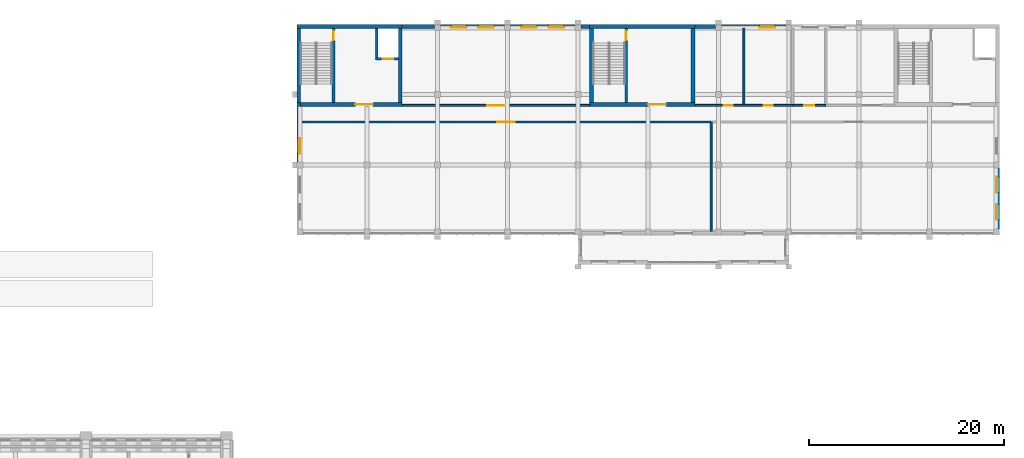
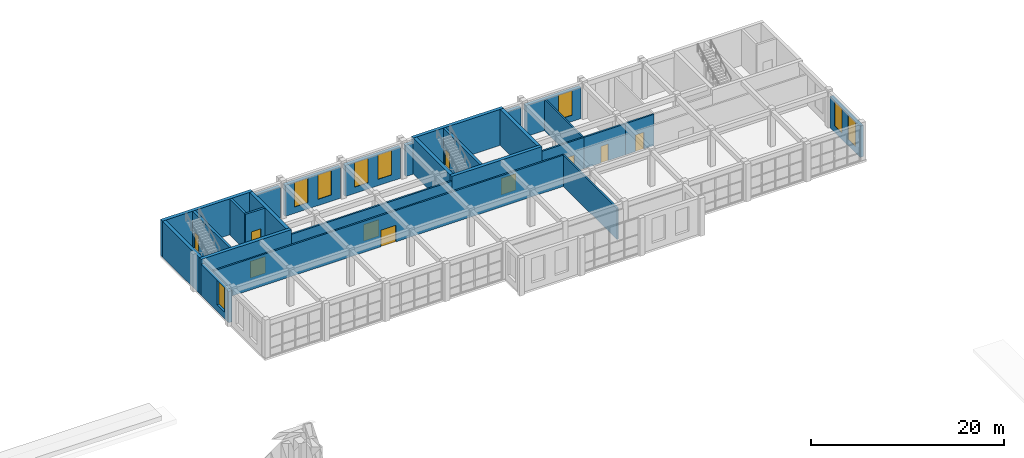
# One storey, part 141 of 149: 27 walls, 10 doors, 8 windows, 18 openings.
"""IFC4 building model written with IfcOpenShell, lengths in metres."""

import ifcopenshell
import ifcopenshell.guid

model = None  # the IFC model being written
_history = None  # IfcOwnerHistory: only IFC2X3 demands one
_inside = {}  # id of a spatial element -> (the spatial element, [elements in it])
_under = {}  # id of a project, library or spatial element -> (it, [spatial elements below it])
_declared = {}  # id of a project -> (the project, [libraries it declares])
_typed = {}  # id of a type object -> (the type object, [elements of that type])
_made_of = {}  # id of a material, layer set ... -> (it, [elements and type objects made of it])


def new_model(schema):
    """Start an empty IFC model of exactly this schema.

    Asked for "IFC4X3", IfcOpenShell would pick the latest addendum, in which some entities
    have other attributes; the version numbers below select the first issue.
    IFC2X3 requires an IfcOwnerHistory on every rooted entity: one is made here for all.
    """
    global model, _history
    if schema == "IFC4X3":
        model = ifcopenshell.file(schema_version=(4, 3, 0, 0))
    else:
        model = ifcopenshell.file(schema=schema)
    _inside.clear()
    _under.clear()
    _declared.clear()
    _typed.clear()
    _made_of.clear()
    _history = None
    if model.schema == "IFC2X3":
        org = make("IfcOrganization", Name="unknown")
        user = make(
            "IfcPersonAndOrganization",
            ThePerson=make("IfcPerson", FamilyName="unknown"),
            TheOrganization=org,
        )
        app = make(
            "IfcApplication",
            ApplicationDeveloper=org,
            Version="unknown",
            ApplicationFullName="unknown",
            ApplicationIdentifier="unknown",
        )
        _history = make(
            "IfcOwnerHistory",
            OwningUser=user,
            OwningApplication=app,
            ChangeAction="ADDED",
            CreationDate=0,
        )
    return model


def make(cls, **values):
    """One entity of the class cls with the attributes given. An attribute that is None is left unset."""
    return model.create_entity(
        cls, **{name: value for name, value in values.items() if value is not None}
    )


def rooted(cls, **values):
    """An entity with a GlobalId (a new one), such as an element, a storey or a relation."""
    return make(cls, GlobalId=ifcopenshell.guid.new(), OwnerHistory=_history, **values)


def si_unit(unit_type, name, prefix=None):
    """IfcSIUnit, for example si_unit("LENGTHUNIT", "METRE", prefix="MILLI")."""
    return make("IfcSIUnit", UnitType=unit_type, Prefix=prefix, Name=name)


def assignment(units):
    """IfcUnitAssignment: the units of a project."""
    return None if units is None else make("IfcUnitAssignment", Units=units)


def point(xyz):
    """IfcCartesianPoint."""
    return None if xyz is None else make("IfcCartesianPoint", Coordinates=xyz)


def direction(xyz):
    """IfcDirection."""
    return None if xyz is None else make("IfcDirection", DirectionRatios=xyz)


def frame(location, z_axis=None, x_axis=None):
    """IfcAxis2Placement3D, a coordinate frame: its origin and axes. An axis left out is left unset."""
    return make(
        "IfcAxis2Placement3D",
        Location=point(location),
        Axis=direction(z_axis),
        RefDirection=direction(x_axis),
    )


def frame_2d(location, x_axis=None):
    """IfcAxis2Placement2D, a coordinate frame in the plane: its origin and x axis."""
    return make(
        "IfcAxis2Placement2D", Location=point(location), RefDirection=direction(x_axis)
    )


def origin():
    """The frame at (0, 0, 0) with its axes left unset."""
    return frame((0.0, 0.0, 0.0))


def place(relative_to, where):
    """IfcLocalPlacement: puts the frame where relative to a parent placement (None: the world)."""
    return make(
        "IfcLocalPlacement", PlacementRelTo=relative_to, RelativePlacement=where
    )


def context(
    kind, dimensions, precision=None, world=None, true_north=None, identifier=None
):
    """IfcGeometricRepresentationContext, for example the 3D "Model" context."""
    return make(
        "IfcGeometricRepresentationContext",
        ContextIdentifier=identifier,
        ContextType=kind,
        CoordinateSpaceDimension=dimensions,
        Precision=precision,
        WorldCoordinateSystem=world,
        TrueNorth=true_north,
    )


def subcontext(parent, identifier, kind, view, scale=None):
    """IfcGeometricRepresentationSubContext, for example "Body" below "Model"."""
    return make(
        "IfcGeometricRepresentationSubContext",
        ContextIdentifier=identifier,
        ContextType=kind,
        ParentContext=parent,
        TargetScale=scale,
        TargetView=view,
    )


def project(units=None, contexts=None):
    """IfcProject with its units and contexts."""
    return rooted(
        "IfcProject",
        Name="project",
        RepresentationContexts=contexts,
        UnitsInContext=assignment(units),
    )


def spatial(cls, under=None, at=None, **own):
    """A site, building, storey or space (cls), placed at a placement, below another one or the project."""
    s = rooted(cls, ObjectPlacement=at, **own)
    if under is not None:
        _under.setdefault(under.id(), (under, []))[1].append(s)
    return s


def profile(cls, at=None, kind="AREA", **sizes):
    """A parametric profile (cls). Its sizes go by their IFC names, for example OverallWidth=200.0."""
    return make(cls, ProfileType=kind, Position=at, **sizes)


def rectangle(**sizes):
    """IfcRectangleProfileDef."""
    return profile("IfcRectangleProfileDef", **sizes)


def extrude(swept, where, along, depth):
    """IfcExtrudedAreaSolid: the profile swept, set in the frame where, extruded along a direction by depth."""
    return make(
        "IfcExtrudedAreaSolid",
        SweptArea=swept,
        Position=where,
        ExtrudedDirection=direction(along),
        Depth=depth,
    )


def shape(context_of_items, identifier, shape_type, items):
    """IfcShapeRepresentation: the items that make up one representation, for example the "Body"."""
    return make(
        "IfcShapeRepresentation",
        ContextOfItems=context_of_items,
        RepresentationIdentifier=identifier,
        RepresentationType=shape_type,
        Items=items,
    )


def material(Name=None, Category=None):
    """IfcMaterial."""
    return make("IfcMaterial", Name=Name, Category=Category)


def layer(
    of_material, thickness, ventilated=None, Name=None, Category=None, Priority=None
):
    """IfcMaterialLayer: one layer of a wall or slab, of a material (None: an air gap)."""
    return make(
        "IfcMaterialLayer",
        Material=of_material,
        LayerThickness=thickness,
        IsVentilated=ventilated,
        Name=Name,
        Category=Category,
        Priority=Priority,
    )


def layer_set(layers, Name=None):
    """IfcMaterialLayerSet."""
    return make("IfcMaterialLayerSet", MaterialLayers=layers, LayerSetName=Name)


def made_of(thing, what):
    """Note that an element or type object is made of a material, layer set ...; save() writes the relation."""
    if what is not None:
        _made_of.setdefault(what.id(), (what, []))[1].append(thing)
    return thing


def type_object(cls, material=None, **own):
    """A type object (cls), such as IfcWallType, which elements share."""
    return made_of(rooted(cls, **own), material)


def element(
    cls,
    number,
    at=None,
    inside=None,
    cuts=None,
    type_object=None,
    material=None,
    context=None,
    identifier="Body",
    shape_type=None,
    held_by="IfcProductDefinitionShape",
    body=None,
    shapes=None,
    **own,
):
    """One element of the class cls, such as IfcWall. Its Tag is "e" and its number.

    at: its placement. inside: the storey or other place that contains it. cuts: it is an
    opening in that element (IfcRelVoidsElement). A single representation is given by context,
    identifier, shape_type and body (its items); several are given by shapes. held_by: the class
    of the entity that holds the representations. save() writes the other relations.
    """
    e = rooted(cls, Tag="e%d" % number, ObjectPlacement=at, **own)
    if body is not None:
        shapes = [shape(context, identifier, shape_type, body)]
    if shapes is not None:
        e.Representation = make(held_by, Representations=shapes)
    if inside is not None:
        _inside.setdefault(inside.id(), (inside, []))[1].append(e)
    if cuts is not None:
        rooted(
            "IfcRelVoidsElement", RelatingBuildingElement=cuts, RelatedOpeningElement=e
        )
    if type_object is not None:
        _typed.setdefault(type_object.id(), (type_object, []))[1].append(e)
    return made_of(e, material)


def fill(opening, filler):
    """IfcRelFillsElement: the door or window that sits in an opening."""
    return rooted(
        "IfcRelFillsElement",
        RelatingOpeningElement=opening,
        RelatedBuildingElement=filler,
    )


def aggregate(whole, parts):
    """IfcRelAggregates: a whole, such as a stair, and the parts it consists of."""
    return rooted("IfcRelAggregates", RelatingObject=whole, RelatedObjects=parts)


def save(model, path):
    """Write the relations noted so far, then the file.

    IfcRelAggregates (storeys below a building ...), IfcRelContainedInSpatialStructure (elements
    in a storey), IfcRelDefinesByType, IfcRelAssociatesMaterial and IfcRelDeclares: one each for
    every whole, place, type object, material and project.
    """
    for whole, parts in _under.values():
        aggregate(whole, parts)
    for where, things in _inside.values():
        rooted(
            "IfcRelContainedInSpatialStructure",
            RelatedElements=things,
            RelatingStructure=where,
        )
    for kind, things in _typed.values():
        rooted("IfcRelDefinesByType", RelatedObjects=things, RelatingType=kind)
    for what, things in _made_of.values():
        rooted("IfcRelAssociatesMaterial", RelatedObjects=things, RelatingMaterial=what)
    for by, libraries in _declared.values():
        rooted("IfcRelDeclares", RelatingContext=by, RelatedDefinitions=libraries)
    model.write(path)


model = new_model("IFC4")

# Units and contexts
model_context = context("Model", 3, precision=1e-05, world=origin(), true_north=direction((0.0, 1.0)))
body_context = subcontext(model_context, "Body", "Model", "MODEL_VIEW")
ifc_project = project(units=[si_unit("LENGTHUNIT", "METRE"), si_unit("AREAUNIT", "SQUARE_METRE"), si_unit("VOLUMEUNIT", "CUBIC_METRE"), si_unit("PLANEANGLEUNIT", "RADIAN"), si_unit("MASSUNIT", "GRAM", prefix="KILO")], contexts=[model_context])

# Site, building, storey
site_placement = place(None, origin())
site = spatial("IfcSite", under=ifc_project, at=site_placement, CompositionType="ELEMENT")
building_placement = place(site_placement, origin())
building = spatial("IfcBuilding", under=site, at=building_placement, Name="Alderwick Market Hall", CompositionType="ELEMENT")
storey_placement = place(building_placement, frame((0.0, 0.0, 9.60009765625)))
storey = spatial("IfcBuildingStorey", under=building, at=storey_placement, Name="L01", CompositionType="ELEMENT", Elevation=9.60009765625)

# Wall
ifc_material_1 = material(Name="Face brick", Category="masonry")
ifc_layer_1 = layer(ifc_material_1, 0.39990234375)
ifc_layer_set_1 = layer_set([ifc_layer_1], Name="Face brick")
wall_type_1 = type_object("IfcWallType", Name="F Brick Pier Wall 400", PredefinedType="SOLIDWALL", material=ifc_layer_set_1)
wall_1_placement = place(storey_placement, frame((169.199951171875, 151.0, 0.0), z_axis=(0.0, 0.0, 1.0), x_axis=(1.0, 0.0, 0.0)))
element("IfcWall", 1, at=wall_1_placement, inside=storey, type_object=wall_type_1, Name="F.wall.L01.fac.back.02", PredefinedType="SOLIDWALL", context=body_context, shape_type="SweptSolid", body=[
    extrude(rectangle(XDim=3.300048828125, YDim=0.39990234375, at=frame_2d((1.64990234375, 0.0))), origin(), (0.0, 0.0, 1.0), 3.949951171875),
])

# Wall, openings, windows
wall_2_placement = place(storey_placement, frame((173.10009765625, 151.0, 0.0), z_axis=(0.0, 0.0, 1.0), x_axis=(1.0, 0.0, 0.0)))
wall_2 = element("IfcWall", 2, at=wall_2_placement, inside=storey, type_object=wall_type_1, Name="F.wall.L01.fac.back.03", PredefinedType="SOLIDWALL", context=body_context, shape_type="SweptSolid", body=[
    extrude(rectangle(XDim=6.599853515625, YDim=0.39990234375, at=frame_2d((3.2998046875, 0.0))), origin(), (0.0, 0.0, 1.0), 3.949951171875),
])
opening_1_placement = place(wall_2_placement, frame((1.10009765625, 0.0, 0.800048828125)))
opening_1 = element("IfcOpeningElement", 3, at=opening_1_placement, cuts=wall_2, Name="Opening F-W023", PredefinedType="OPENING", context=body_context, shape_type="SweptSolid", body=[
    extrude(rectangle(XDim=1.60009765625, YDim=3.10009765625, at=frame_2d((0.800048828125, 1.550048828125))), frame((0.0, 0.2099609375, 0.0), z_axis=(0.0, -1.0, 0.0), x_axis=(1.0, 0.0, 0.0)), (0.0, 0.0, 1.0), 0.419921875),
])
opening_2_placement = place(wall_2_placement, frame((3.89990234375, 0.0, 0.800048828125)))
opening_2 = element("IfcOpeningElement", 4, at=opening_2_placement, cuts=wall_2, Name="Opening F-W024", PredefinedType="OPENING", context=body_context, shape_type="SweptSolid", body=[
    extrude(rectangle(XDim=1.60009765625, YDim=3.10009765625, at=frame_2d((0.800048828125, 1.550048828125))), frame((0.0, 0.2099609375, 0.0), z_axis=(0.0, -1.0, 0.0), x_axis=(1.0, 0.0, 0.0)), (0.0, 0.0, 1.0), 0.419921875),
])
ifc_material_2 = material(Name="Aluminium frame, double glazing", Category="aluminium")
window_type = type_object("IfcWindowType", Name="F Piano Nobile Window 1600x3100", PartitioningType="SINGLE_PANEL", PredefinedType="WINDOW", material=ifc_material_2)
window_1_placement = place(opening_1_placement, origin())
window_1 = element("IfcWindow", 5, at=window_1_placement, inside=storey, type_object=window_type, Name="F.win.L01.023", OverallHeight=3.10009765625, OverallWidth=1.60009765625, PartitioningType="SINGLE_PANEL", PredefinedType="WINDOW", context=body_context, shape_type="SweptSolid", body=[
    extrude(rectangle(XDim=1.60009765625, YDim=3.10009765625, at=frame_2d((0.800048828125, 1.550048828125))), frame((0.0, -0.090087890625, 0.0), z_axis=(0.0, -1.0, 0.0), x_axis=(1.0, 0.0, 0.0)), (0.0, 0.0, 1.0), 0.06005859375),
])
fill(opening_1, window_1)
window_2_placement = place(opening_2_placement, origin())
window_2 = element("IfcWindow", 6, at=window_2_placement, inside=storey, type_object=window_type, Name="F.win.L01.024", OverallHeight=3.10009765625, OverallWidth=1.60009765625, PartitioningType="SINGLE_PANEL", PredefinedType="WINDOW", context=body_context, shape_type="SweptSolid", body=[
    extrude(rectangle(XDim=1.60009765625, YDim=3.10009765625, at=frame_2d((0.800048828125, 1.550048828125))), frame((0.0, -0.090087890625, 0.0), z_axis=(0.0, -1.0, 0.0), x_axis=(1.0, 0.0, 0.0)), (0.0, 0.0, 1.0), 0.06005859375),
])
fill(opening_2, window_2)

wall_3_placement = place(storey_placement, frame((180.300048828125, 151.0, 0.0), z_axis=(0.0, 0.0, 1.0), x_axis=(1.0, 0.0, 0.0)))
wall_3 = element("IfcWall", 7, at=wall_3_placement, inside=storey, type_object=wall_type_1, Name="F.wall.L01.fac.back.04", PredefinedType="SOLIDWALL", context=body_context, shape_type="SweptSolid", body=[
    extrude(rectangle(XDim=6.599853515625, YDim=0.39990234375, at=frame_2d((3.2998046875, 0.0))), origin(), (0.0, 0.0, 1.0), 3.949951171875),
])
opening_3_placement = place(wall_3_placement, frame((1.10009765625, 0.0, 0.800048828125)))
opening_3 = element("IfcOpeningElement", 8, at=opening_3_placement, cuts=wall_3, Name="Opening F-W025", PredefinedType="OPENING", context=body_context, shape_type="SweptSolid", body=[
    extrude(rectangle(XDim=1.60009765625, YDim=3.10009765625, at=frame_2d((0.800048828125, 1.550048828125))), frame((0.0, 0.2099609375, 0.0), z_axis=(0.0, -1.0, 0.0), x_axis=(1.0, 0.0, 0.0)), (0.0, 0.0, 1.0), 0.419921875),
])
opening_4_placement = place(wall_3_placement, frame((3.89990234375, 0.0, 0.800048828125)))
opening_4 = element("IfcOpeningElement", 9, at=opening_4_placement, cuts=wall_3, Name="Opening F-W026", PredefinedType="OPENING", context=body_context, shape_type="SweptSolid", body=[
    extrude(rectangle(XDim=1.60009765625, YDim=3.10009765625, at=frame_2d((0.800048828125, 1.550048828125))), frame((0.0, 0.2099609375, 0.0), z_axis=(0.0, -1.0, 0.0), x_axis=(1.0, 0.0, 0.0)), (0.0, 0.0, 1.0), 0.419921875),
])
window_3_placement = place(opening_3_placement, origin())
window_3 = element("IfcWindow", 10, at=window_3_placement, inside=storey, type_object=window_type, Name="F.win.L01.025", OverallHeight=3.10009765625, OverallWidth=1.60009765625, PartitioningType="SINGLE_PANEL", PredefinedType="WINDOW", context=body_context, shape_type="SweptSolid", body=[
    extrude(rectangle(XDim=1.60009765625, YDim=3.10009765625, at=frame_2d((0.800048828125, 1.550048828125))), frame((0.0, -0.090087890625, 0.0), z_axis=(0.0, -1.0, 0.0), x_axis=(1.0, 0.0, 0.0)), (0.0, 0.0, 1.0), 0.06005859375),
])
fill(opening_3, window_3)
window_4_placement = place(opening_4_placement, origin())
window_4 = element("IfcWindow", 11, at=window_4_placement, inside=storey, type_object=window_type, Name="F.win.L01.026", OverallHeight=3.10009765625, OverallWidth=1.60009765625, PartitioningType="SINGLE_PANEL", PredefinedType="WINDOW", context=body_context, shape_type="SweptSolid", body=[
    extrude(rectangle(XDim=1.60009765625, YDim=3.10009765625, at=frame_2d((0.800048828125, 1.550048828125))), frame((0.0, -0.090087890625, 0.0), z_axis=(0.0, -1.0, 0.0), x_axis=(1.0, 0.0, 0.0)), (0.0, 0.0, 1.0), 0.06005859375),
])
fill(opening_4, window_4)

# Walls
wall_4_placement = place(storey_placement, frame((187.5, 151.0, 0.0), z_axis=(0.0, 0.0, 1.0), x_axis=(1.0, 0.0, 0.0)))
element("IfcWall", 12, at=wall_4_placement, inside=storey, type_object=wall_type_1, Name="F.wall.L01.fac.back.05", PredefinedType="SOLIDWALL", context=body_context, shape_type="SweptSolid", body=[
    extrude(rectangle(XDim=0.89990234375, YDim=0.39990234375, at=frame_2d((0.449951171875, 0.0))), origin(), (0.0, 0.0, 1.0), 3.949951171875),
])
wall_5_placement = place(storey_placement, frame((199.199951171875, 151.0, 0.0), z_axis=(0.0, 0.0, 1.0), x_axis=(1.0, 0.0, 0.0)))
element("IfcWall", 13, at=wall_5_placement, inside=storey, type_object=wall_type_1, Name="F.wall.L01.fac.back.07", PredefinedType="SOLIDWALL", context=body_context, shape_type="SweptSolid", body=[
    extrude(rectangle(XDim=2.10009765625, YDim=0.39990234375, at=frame_2d((1.050048828125, 0.0))), origin(), (0.0, 0.0, 1.0), 3.949951171875),
])

# Wall, opening, window
wall_6_placement = place(storey_placement, frame((201.89990234375, 151.0, 0.0), z_axis=(0.0, 0.0, 1.0), x_axis=(1.0, 0.0, 0.0)))
wall_6 = element("IfcWall", 14, at=wall_6_placement, inside=storey, type_object=wall_type_1, Name="F.wall.L01.fac.back.08", PredefinedType="SOLIDWALL", context=body_context, shape_type="SweptSolid", body=[
    extrude(rectangle(XDim=6.60009765625, YDim=0.39990234375, at=frame_2d((3.300048828125, 0.0))), origin(), (0.0, 0.0, 1.0), 3.949951171875),
])
opening_5_placement = place(wall_6_placement, frame((3.89990234375, 0.0, 0.800048828125)))
opening_5 = element("IfcOpeningElement", 15, at=opening_5_placement, cuts=wall_6, Name="Opening F-W027", PredefinedType="OPENING", context=body_context, shape_type="SweptSolid", body=[
    extrude(rectangle(XDim=1.60009765625, YDim=3.10009765625, at=frame_2d((0.800048828125, 1.550048828125))), frame((0.0, 0.2099609375, 0.0), z_axis=(0.0, -1.0, 0.0), x_axis=(1.0, 0.0, 0.0)), (0.0, 0.0, 1.0), 0.419921875),
])
window_5_placement = place(opening_5_placement, origin())
window_5 = element("IfcWindow", 16, at=window_5_placement, inside=storey, type_object=window_type, Name="F.win.L01.027", OverallHeight=3.10009765625, OverallWidth=1.60009765625, PartitioningType="SINGLE_PANEL", PredefinedType="WINDOW", context=body_context, shape_type="SweptSolid", body=[
    extrude(rectangle(XDim=1.60009765625, YDim=3.10009765625, at=frame_2d((0.800048828125, 1.550048828125))), frame((0.0, -0.090087890625, 0.0), z_axis=(0.0, -1.0, 0.0), x_axis=(1.0, 0.0, 0.0)), (0.0, 0.0, 1.0), 0.06005859375),
])
fill(opening_5, window_5)

# Walls
ifc_material_3 = material(Name="Concrete 5000 psi (f'c 35 MPa)", Category="concrete")
ifc_layer_2 = layer(ifc_material_3, 0.39990234375)
ifc_layer_set_2 = layer_set([ifc_layer_2], Name="Concrete 5000 psi (f'c 35 MPa)")
wall_type_2 = type_object("IfcWallType", Name="F Core Wall Concrete 5000 psi 400", PredefinedType="SHEAR", material=ifc_layer_set_2)
wall_7_placement = place(storey_placement, frame((158.60009765625, 143.199951171875, 0.0), z_axis=(0.0, 0.0, 1.0), x_axis=(0.0, 1.0, 0.0)))
element("IfcWall", 17, at=wall_7_placement, inside=storey, type_object=wall_type_2, Name="F.wall.L01.fac.west.03", PredefinedType="SHEAR", context=body_context, shape_type="SweptSolid", body=[
    extrude(rectangle(XDim=7.60009765625, YDim=0.39990234375, at=frame_2d((3.800048828125, 0.0))), origin(), (0.0, 0.0, 1.0), 4.5498046875),
])
for number, where, z_axis, x_axis, name in (
    (18, (158.39990234375, 151.0, 0.0), (0.0, 0.0, 1.0), (1.0, 0.0, 0.0), "F.wall.L01.fac.back.01"),
    (19, (188.39990234375, 151.0, 0.0), (0.0, 0.0, 1.0), (1.0, 0.0, 0.0), "F.wall.L01.fac.back.06"),
):
    element("IfcWall", number, at=place(storey_placement, frame(where, z_axis=z_axis, x_axis=x_axis)), inside=storey, type_object=wall_type_2, Name=name, PredefinedType="SHEAR", context=body_context, shape_type="SweptSolid", body=[
        extrude(rectangle(XDim=10.800048828125, YDim=0.39990234375, at=frame_2d((5.39990234375, 0.0))), origin(), (0.0, 0.0, 1.0), 4.5498046875),
    ])

# Wall, opening, door
wall_8_placement = place(storey_placement, frame((158.39990234375, 143.0, 0.0), z_axis=(0.0, 0.0, 1.0), x_axis=(1.0, 0.0, 0.0)))
wall_8 = element("IfcWall", 20, at=wall_8_placement, inside=storey, type_object=wall_type_2, Name="F.wall.L01.core.A.front.01", PredefinedType="SHEAR", context=body_context, shape_type="SweptSolid", body=[
    extrude(rectangle(XDim=10.800048828125, YDim=0.39990234375, at=frame_2d((5.39990234375, 0.0))), origin(), (0.0, 0.0, 1.0), 4.5498046875),
])
opening_6_placement = place(wall_8_placement, frame((6.0, 0.0, 0.0)))
opening_6 = element("IfcOpeningElement", 21, at=opening_6_placement, cuts=wall_8, Name="Opening F-D063", PredefinedType="OPENING", context=body_context, shape_type="SweptSolid", body=[
    extrude(rectangle(XDim=1.800048828125, YDim=2.10009765625, at=frame_2d((0.89990234375, 1.050048828125))), frame((0.0, 0.2099609375, 0.0), z_axis=(0.0, -1.0, 0.0), x_axis=(1.0, 0.0, 0.0)), (0.0, 0.0, 1.0), 0.419921875),
])
ifc_material_4 = material(Name="Steel, insulated", Category="steel")
door_type_1 = type_object("IfcDoorType", Name="F Fire Door Pair FD90 1800x2100", OperationType="NOTDEFINED", PredefinedType="DOOR", material=ifc_material_4)
door_1_placement = place(opening_6_placement, origin())
door_1 = element("IfcDoor", 22, at=door_1_placement, inside=storey, type_object=door_type_1, Name="F.door.L01.063", OperationType="NOTDEFINED", OverallHeight=2.10009765625, OverallWidth=1.800048828125, PredefinedType="DOOR", context=body_context, shape_type="SweptSolid", body=[
    extrude(rectangle(XDim=1.800048828125, YDim=2.10009765625, at=frame_2d((0.89990234375, 1.050048828125))), frame((0.0, 0.02490234375, 0.0), z_axis=(0.0, -1.0, 0.0), x_axis=(1.0, 0.0, 0.0)), (0.0, 0.0, 1.0), 0.050048828125),
])
fill(opening_6, door_1)

# Wall
wall_9_placement = place(storey_placement, frame((169.0, 143.199951171875, 0.0), z_axis=(0.0, 0.0, 1.0), x_axis=(0.0, 1.0, 0.0)))
element("IfcWall", 23, at=wall_9_placement, inside=storey, type_object=wall_type_2, Name="F.wall.L01.core.A.east.01", PredefinedType="SHEAR", context=body_context, shape_type="SweptSolid", body=[
    extrude(rectangle(XDim=7.60009765625, YDim=0.39990234375, at=frame_2d((3.800048828125, 0.0))), origin(), (0.0, 0.0, 1.0), 4.5498046875),
])

# Wall, opening, door
wall_10_placement = place(storey_placement, frame((188.39990234375, 143.0, 0.0), z_axis=(0.0, 0.0, 1.0), x_axis=(1.0, 0.0, 0.0)))
wall_10 = element("IfcWall", 24, at=wall_10_placement, inside=storey, type_object=wall_type_2, Name="F.wall.L01.core.B.front.01", PredefinedType="SHEAR", context=body_context, shape_type="SweptSolid", body=[
    extrude(rectangle(XDim=10.800048828125, YDim=0.39990234375, at=frame_2d((5.39990234375, 0.0))), origin(), (0.0, 0.0, 1.0), 4.5498046875),
])
opening_7_placement = place(wall_10_placement, frame((6.0, 0.0, 0.0)))
opening_7 = element("IfcOpeningElement", 25, at=opening_7_placement, cuts=wall_10, Name="Opening F-D066", PredefinedType="OPENING", context=body_context, shape_type="SweptSolid", body=[
    extrude(rectangle(XDim=1.800048828125, YDim=2.10009765625, at=frame_2d((0.89990234375, 1.050048828125))), frame((0.0, 0.2099609375, 0.0), z_axis=(0.0, -1.0, 0.0), x_axis=(1.0, 0.0, 0.0)), (0.0, 0.0, 1.0), 0.419921875),
])
door_2_placement = place(opening_7_placement, origin())
door_2 = element("IfcDoor", 26, at=door_2_placement, inside=storey, type_object=door_type_1, Name="F.door.L01.066", OperationType="NOTDEFINED", OverallHeight=2.10009765625, OverallWidth=1.800048828125, PredefinedType="DOOR", context=body_context, shape_type="SweptSolid", body=[
    extrude(rectangle(XDim=1.800048828125, YDim=2.10009765625, at=frame_2d((0.89990234375, 1.050048828125))), frame((0.0, 0.02490234375, 0.0), z_axis=(0.0, -1.0, 0.0), x_axis=(1.0, 0.0, 0.0)), (0.0, 0.0, 1.0), 0.050048828125),
])
fill(opening_7, door_2)

# Walls
for number, where, z_axis, x_axis, name in (
    (27, (188.60009765625, 143.199951171875, 0.0), (0.0, 0.0, 1.0), (0.0, 1.0, 0.0), "F.wall.L01.core.B.west.01"),
    (28, (199.0, 143.199951171875, 0.0), (0.0, 0.0, 1.0), (0.0, 1.0, 0.0), "F.wall.L01.core.B.east.01"),
):
    element("IfcWall", number, at=place(storey_placement, frame(where, z_axis=z_axis, x_axis=x_axis)), inside=storey, type_object=wall_type_2, Name=name, PredefinedType="SHEAR", context=body_context, shape_type="SweptSolid", body=[
        extrude(rectangle(XDim=7.60009765625, YDim=0.39990234375, at=frame_2d((3.800048828125, 0.0))), origin(), (0.0, 0.0, 1.0), 4.5498046875),
    ])

# Wall, opening, window
ifc_layer_3 = layer(ifc_material_3, 0.39990234375)
ifc_layer_set_3 = layer_set([ifc_layer_3], Name="Concrete 5000 psi (f'c 35 MPa)")
wall_type_3 = type_object("IfcWallType", Name="F End Shear Wall Concrete 5000 psi 400", PredefinedType="SHEAR", material=ifc_layer_set_3)
wall_11_placement = place(storey_placement, frame((158.60009765625, 137.10009765625, 0.0), z_axis=(0.0, 0.0, 1.0), x_axis=(0.0, 1.0, 0.0)))
wall_11 = element("IfcWall", 29, at=wall_11_placement, inside=storey, type_object=wall_type_3, Name="F.wall.L01.fac.west.02", PredefinedType="SHEAR", context=body_context, shape_type="SweptSolid", body=[
    extrude(rectangle(XDim=6.099853515625, YDim=0.39990234375, at=frame_2d((3.0498046875, 0.0))), origin(), (0.0, 0.0, 1.0), 3.949951171875),
])
opening_8_placement = place(wall_11_placement, frame((0.85009765625, 0.0, 0.800048828125)))
opening_8 = element("IfcOpeningElement", 30, at=opening_8_placement, cuts=wall_11, Name="Opening F-W022", PredefinedType="OPENING", context=body_context, shape_type="SweptSolid", body=[
    extrude(rectangle(XDim=1.60009765625, YDim=3.10009765625, at=frame_2d((0.800048828125, 1.550048828125))), frame((0.0, 0.2099609375, 0.0), z_axis=(0.0, -1.0, 0.0), x_axis=(1.0, 0.0, 0.0)), (0.0, 0.0, 1.0), 0.419921875),
])
window_6_placement = place(opening_8_placement, origin())
window_6 = element("IfcWindow", 31, at=window_6_placement, inside=storey, type_object=window_type, Name="F.win.L01.022", OverallHeight=3.10009765625, OverallWidth=1.60009765625, PartitioningType="SINGLE_PANEL", PredefinedType="WINDOW", context=body_context, shape_type="SweptSolid", body=[
    extrude(rectangle(XDim=1.60009765625, YDim=3.10009765625, at=frame_2d((0.800048828125, 1.550048828125))), frame((0.0, -0.090087890625, 0.0), z_axis=(0.0, -1.0, 0.0), x_axis=(1.0, 0.0, 0.0)), (0.0, 0.0, 1.0), 0.06005859375),
])
fill(opening_8, window_6)

# Wall, openings, windows
wall_12_placement = place(storey_placement, frame((230.199951171875, 136.5, 0.0), z_axis=(0.0, 0.0, 1.0), x_axis=(0.0, -1.0, 0.0)))
wall_12 = element("IfcWall", 32, at=wall_12_placement, inside=storey, type_object=wall_type_3, Name="F.wall.L01.fac.east.01", PredefinedType="SHEAR", context=body_context, shape_type="SweptSolid", body=[
    extrude(rectangle(XDim=6.25, YDim=0.39990234375, at=frame_2d((3.125, 0.0))), origin(), (0.0, 0.0, 1.0), 3.949951171875),
])
opening_9_placement = place(wall_12_placement, frame((0.925048828125, 0.0, 0.800048828125)))
opening_9 = element("IfcOpeningElement", 33, at=opening_9_placement, cuts=wall_12, Name="Opening F-W030", PredefinedType="OPENING", context=body_context, shape_type="SweptSolid", body=[
    extrude(rectangle(XDim=1.60009765625, YDim=3.10009765625, at=frame_2d((0.800048828125, 1.550048828125))), frame((0.0, 0.2099609375, 0.0), z_axis=(0.0, -1.0, 0.0), x_axis=(1.0, 0.0, 0.0)), (0.0, 0.0, 1.0), 0.419921875),
])
opening_10_placement = place(wall_12_placement, frame((3.72509765625, 0.0, 0.800048828125)))
opening_10 = element("IfcOpeningElement", 34, at=opening_10_placement, cuts=wall_12, Name="Opening F-W031", PredefinedType="OPENING", context=body_context, shape_type="SweptSolid", body=[
    extrude(rectangle(XDim=1.60009765625, YDim=3.10009765625, at=frame_2d((0.800048828125, 1.550048828125))), frame((0.0, 0.2099609375, 0.0), z_axis=(0.0, -1.0, 0.0), x_axis=(1.0, 0.0, 0.0)), (0.0, 0.0, 1.0), 0.419921875),
])
window_7_placement = place(opening_9_placement, origin())
window_7 = element("IfcWindow", 35, at=window_7_placement, inside=storey, type_object=window_type, Name="F.win.L01.030", OverallHeight=3.10009765625, OverallWidth=1.60009765625, PartitioningType="SINGLE_PANEL", PredefinedType="WINDOW", context=body_context, shape_type="SweptSolid", body=[
    extrude(rectangle(XDim=1.60009765625, YDim=3.10009765625, at=frame_2d((0.800048828125, 1.550048828125))), frame((0.0, -0.090087890625, 0.0), z_axis=(0.0, -1.0, 0.0), x_axis=(1.0, 0.0, 0.0)), (0.0, 0.0, 1.0), 0.06005859375),
])
fill(opening_9, window_7)
window_8_placement = place(opening_10_placement, origin())
window_8 = element("IfcWindow", 36, at=window_8_placement, inside=storey, type_object=window_type, Name="F.win.L01.031", OverallHeight=3.10009765625, OverallWidth=1.60009765625, PartitioningType="SINGLE_PANEL", PredefinedType="WINDOW", context=body_context, shape_type="SweptSolid", body=[
    extrude(rectangle(XDim=1.60009765625, YDim=3.10009765625, at=frame_2d((0.800048828125, 1.550048828125))), frame((0.0, -0.090087890625, 0.0), z_axis=(0.0, -1.0, 0.0), x_axis=(1.0, 0.0, 0.0)), (0.0, 0.0, 1.0), 0.06005859375),
])
fill(opening_10, window_8)

# Wall, opening, door
ifc_material_5 = material(Name="Gypsum board on steel studs", Category="steel")
ifc_layer_4 = layer(ifc_material_5, 0.199951171875)
ifc_layer_set_4 = layer_set([ifc_layer_4], Name="Gypsum board on steel studs")
wall_type_4 = type_object("IfcWallType", Name="F Fire Partition Wall 200", PredefinedType="PARTITIONING", material=ifc_layer_set_4)
wall_13_placement = place(storey_placement, frame((169.199951171875, 142.89990234375, 0.0), z_axis=(0.0, 0.0, 1.0), x_axis=(1.0, 0.0, 0.0)))
wall_13 = element("IfcWall", 37, at=wall_13_placement, inside=storey, type_object=wall_type_4, Name="F.wall.L01.part.003", PredefinedType="PARTITIONING", context=body_context, shape_type="SweptSolid", body=[
    extrude(rectangle(XDim=19.199951171875, YDim=0.199951171875, at=frame_2d((9.60009765625, 0.0))), origin(), (0.0, 0.0, 1.0), 3.949951171875),
])
opening_11_placement = place(wall_13_placement, frame((8.699951171875, 0.0, 0.0)))
opening_11 = element("IfcOpeningElement", 38, at=opening_11_placement, cuts=wall_13, Name="Opening F-D072", PredefinedType="OPENING", context=body_context, shape_type="SweptSolid", body=[
    extrude(rectangle(XDim=1.800048828125, YDim=2.10009765625, at=frame_2d((0.89990234375, 1.050048828125))), frame((0.0, 0.10986328125, 0.0), z_axis=(0.0, -1.0, 0.0), x_axis=(1.0, 0.0, 0.0)), (0.0, 0.0, 1.0), 0.219970703125),
])
door_type_2 = type_object("IfcDoorType", Name="F Fire Door Pair FD60 1800x2100", OperationType="NOTDEFINED", PredefinedType="DOOR", material=ifc_material_4)
door_3_placement = place(opening_11_placement, origin())
door_3 = element("IfcDoor", 39, at=door_3_placement, inside=storey, type_object=door_type_2, Name="F.door.L01.072", OperationType="NOTDEFINED", OverallHeight=2.10009765625, OverallWidth=1.800048828125, PredefinedType="DOOR", context=body_context, shape_type="SweptSolid", body=[
    extrude(rectangle(XDim=1.800048828125, YDim=2.10009765625, at=frame_2d((0.89990234375, 1.050048828125))), frame((0.0, 0.02490234375, 0.0), z_axis=(0.0, -1.0, 0.0), x_axis=(1.0, 0.0, 0.0)), (0.0, 0.0, 1.0), 0.050048828125),
])
fill(opening_11, door_3)

# Wall
ifc_layer_5 = layer(ifc_material_3, 0.25)
ifc_layer_set_5 = layer_set([ifc_layer_5], Name="Concrete 5000 psi (f'c 35 MPa)")
wall_type_5 = type_object("IfcWallType", Name="F Lift Shaft Wall Concrete 5000 psi 250", PredefinedType="SHEAR", material=ifc_layer_set_5)
wall_14_placement = place(storey_placement, frame((166.574951171875, 147.550048828125, 0.0), z_axis=(0.0, 0.0, 1.0), x_axis=(0.0, 1.0, 0.0)))
element("IfcWall", 40, at=wall_14_placement, inside=storey, type_object=wall_type_5, Name="F.wall.L01.core.A.shaftw.01", PredefinedType="SHEAR", context=body_context, shape_type="SweptSolid", body=[
    extrude(rectangle(XDim=3.25, YDim=0.25, at=frame_2d((1.625, 0.0))), origin(), (0.0, 0.0, 1.0), 4.5498046875),
])

# Wall, opening, door
wall_15_placement = place(storey_placement, frame((166.449951171875, 147.675048828125, 0.0), z_axis=(0.0, 0.0, 1.0), x_axis=(1.0, 0.0, 0.0)))
wall_15 = element("IfcWall", 41, at=wall_15_placement, inside=storey, type_object=wall_type_5, Name="F.wall.L01.core.A.shaftf.01", PredefinedType="SHEAR", context=body_context, shape_type="SweptSolid", body=[
    extrude(rectangle(XDim=2.35009765625, YDim=0.25, at=frame_2d((1.175048828125, 0.0))), origin(), (0.0, 0.0, 1.0), 4.5498046875),
])
opening_12_placement = place(wall_15_placement, frame((0.75, 0.0, 0.0)))
opening_12 = element("IfcOpeningElement", 42, at=opening_12_placement, cuts=wall_15, Name="Opening F-D064", PredefinedType="OPENING", context=body_context, shape_type="SweptSolid", body=[
    extrude(rectangle(XDim=1.10009765625, YDim=2.10009765625, at=frame_2d((0.550048828125, 1.050048828125))), frame((0.0, 0.135009765625, 0.0), z_axis=(0.0, -1.0, 0.0), x_axis=(1.0, 0.0, 0.0)), (0.0, 0.0, 1.0), 0.27001953125),
])
ifc_material_6 = material(Name="Stainless steel", Category="steel")
door_type_3 = type_object("IfcDoorType", Name="F Lift Landing Door 1100x2100", OperationType="SLIDING_TO_LEFT", PredefinedType="DOOR", material=ifc_material_6)
door_4_placement = place(opening_12_placement, origin())
door_4 = element("IfcDoor", 43, at=door_4_placement, inside=storey, type_object=door_type_3, Name="F.door.L01.064", OperationType="SLIDING_TO_LEFT", OverallHeight=2.10009765625, OverallWidth=1.10009765625, PredefinedType="DOOR", context=body_context, shape_type="SweptSolid", body=[
    extrude(rectangle(XDim=1.10009765625, YDim=2.10009765625, at=frame_2d((0.550048828125, 1.050048828125))), frame((0.0, 0.02490234375, 0.0), z_axis=(0.0, -1.0, 0.0), x_axis=(1.0, 0.0, 0.0)), (0.0, 0.0, 1.0), 0.050048828125),
])
fill(opening_12, door_4)

ifc_layer_6 = layer(ifc_material_5, 0.199951171875)
ifc_layer_set_6 = layer_set([ifc_layer_6], Name="Gypsum board on steel studs")
wall_type_6 = type_object("IfcWallType", Name="F Partition Wall 200", PredefinedType="PARTITIONING", material=ifc_layer_set_6)
wall_16_placement = place(storey_placement, frame((158.800048828125, 141.199951171875, 0.0), z_axis=(0.0, 0.0, 1.0), x_axis=(1.0, 0.0, 0.0)))
wall_16 = element("IfcWall", 44, at=wall_16_placement, inside=storey, type_object=wall_type_6, Name="F.wall.L01.part.001", PredefinedType="PARTITIONING", context=body_context, shape_type="SweptSolid", body=[
    extrude(rectangle(XDim=42.050048828125, YDim=0.199951171875, at=frame_2d((21.02490234375, 0.0))), origin(), (0.0, 0.0, 1.0), 3.949951171875),
])
opening_13_placement = place(wall_16_placement, frame((20.125, 0.0, 0.0)))
opening_13 = element("IfcOpeningElement", 45, at=opening_13_placement, cuts=wall_16, Name="Opening F-D070", PredefinedType="OPENING", context=body_context, shape_type="SweptSolid", body=[
    extrude(rectangle(XDim=1.800048828125, YDim=2.10009765625, at=frame_2d((0.89990234375, 1.050048828125))), frame((0.0, 0.10986328125, 0.0), z_axis=(0.0, -1.0, 0.0), x_axis=(1.0, 0.0, 0.0)), (0.0, 0.0, 1.0), 0.219970703125),
])
ifc_material_7 = material(Name="Timber, solid core", Category="wood")
door_type_4 = type_object("IfcDoorType", Name="F Door Pair 1800x2100", OperationType="NOTDEFINED", PredefinedType="DOOR", material=ifc_material_7)
door_5_placement = place(opening_13_placement, origin())
door_5 = element("IfcDoor", 46, at=door_5_placement, inside=storey, type_object=door_type_4, Name="F.door.L01.070", OperationType="NOTDEFINED", OverallHeight=2.10009765625, OverallWidth=1.800048828125, PredefinedType="DOOR", context=body_context, shape_type="SweptSolid", body=[
    extrude(rectangle(XDim=1.800048828125, YDim=2.10009765625, at=frame_2d((0.89990234375, 1.050048828125))), frame((0.0, 0.02490234375, 0.0), z_axis=(0.0, -1.0, 0.0), x_axis=(1.0, 0.0, 0.0)), (0.0, 0.0, 1.0), 0.050048828125),
])
fill(opening_13, door_5)

wall_17_placement = place(storey_placement, frame((199.199951171875, 142.89990234375, 0.0), z_axis=(0.0, 0.0, 1.0), x_axis=(1.0, 0.0, 0.0)))
wall_17 = element("IfcWall", 47, at=wall_17_placement, inside=storey, type_object=wall_type_6, Name="F.wall.L01.part.004", PredefinedType="PARTITIONING", context=body_context, shape_type="SweptSolid", body=[
    extrude(rectangle(XDim=5.0, YDim=0.199951171875, at=frame_2d((2.5, 0.0))), origin(), (0.0, 0.0, 1.0), 3.949951171875),
])
opening_14_placement = place(wall_17_placement, frame((2.949951171875, 0.0, 0.0)))
opening_14 = element("IfcOpeningElement", 48, at=opening_14_placement, cuts=wall_17, Name="Opening F-D073", PredefinedType="OPENING", context=body_context, shape_type="SweptSolid", body=[
    extrude(rectangle(XDim=0.89990234375, YDim=2.10009765625, at=frame_2d((0.449951171875, 1.050048828125))), frame((0.0, 0.10986328125, 0.0), z_axis=(0.0, -1.0, 0.0), x_axis=(1.0, 0.0, 0.0)), (0.0, 0.0, 1.0), 0.219970703125),
])
door_type_5 = type_object("IfcDoorType", Name="F Door 900x2100", OperationType="NOTDEFINED", PredefinedType="DOOR", material=ifc_material_7)
door_6_placement = place(opening_14_placement, origin())
door_6 = element("IfcDoor", 49, at=door_6_placement, inside=storey, type_object=door_type_5, Name="F.door.L01.073", OperationType="NOTDEFINED", OverallHeight=2.10009765625, OverallWidth=0.89990234375, PredefinedType="DOOR", context=body_context, shape_type="SweptSolid", body=[
    extrude(rectangle(XDim=0.89990234375, YDim=2.10009765625, at=frame_2d((0.449951171875, 1.050048828125))), frame((0.0, 0.02490234375, 0.0), z_axis=(0.0, -1.0, 0.0), x_axis=(1.0, 0.0, 0.0)), (0.0, 0.0, 1.0), 0.050048828125),
])
fill(opening_14, door_6)

wall_18_placement = place(storey_placement, frame((204.199951171875, 142.89990234375, 0.0), z_axis=(0.0, 0.0, 1.0), x_axis=(1.0, 0.0, 0.0)))
wall_18 = element("IfcWall", 50, at=wall_18_placement, inside=storey, type_object=wall_type_6, Name="F.wall.L01.part.005", PredefinedType="PARTITIONING", context=body_context, shape_type="SweptSolid", body=[
    extrude(rectangle(XDim=5.0, YDim=0.199951171875, at=frame_2d((2.5, 0.0))), origin(), (0.0, 0.0, 1.0), 3.949951171875),
])
opening_15_placement = place(wall_18_placement, frame((2.050048828125, 0.0, 0.0)))
opening_15 = element("IfcOpeningElement", 51, at=opening_15_placement, cuts=wall_18, Name="Opening F-D074", PredefinedType="OPENING", context=body_context, shape_type="SweptSolid", body=[
    extrude(rectangle(XDim=0.89990234375, YDim=2.10009765625, at=frame_2d((0.449951171875, 1.050048828125))), frame((0.0, 0.10986328125, 0.0), z_axis=(0.0, -1.0, 0.0), x_axis=(1.0, 0.0, 0.0)), (0.0, 0.0, 1.0), 0.219970703125),
])
door_7_placement = place(opening_15_placement, origin())
door_7 = element("IfcDoor", 52, at=door_7_placement, inside=storey, type_object=door_type_5, Name="F.door.L01.074", OperationType="NOTDEFINED", OverallHeight=2.10009765625, OverallWidth=0.89990234375, PredefinedType="DOOR", context=body_context, shape_type="SweptSolid", body=[
    extrude(rectangle(XDim=0.89990234375, YDim=2.10009765625, at=frame_2d((0.449951171875, 1.050048828125))), frame((0.0, 0.02490234375, 0.0), z_axis=(0.0, -1.0, 0.0), x_axis=(1.0, 0.0, 0.0)), (0.0, 0.0, 1.0), 0.050048828125),
])
fill(opening_15, door_7)

wall_19_placement = place(storey_placement, frame((209.199951171875, 142.89990234375, 0.0), z_axis=(0.0, 0.0, 1.0), x_axis=(1.0, 0.0, 0.0)))
wall_19 = element("IfcWall", 53, at=wall_19_placement, inside=storey, type_object=wall_type_6, Name="F.wall.L01.part.006", PredefinedType="PARTITIONING", context=body_context, shape_type="SweptSolid", body=[
    extrude(rectangle(XDim=3.400146484375, YDim=0.199951171875, at=frame_2d((1.7001953125, 0.0))), origin(), (0.0, 0.0, 1.0), 3.949951171875),
])
opening_16_placement = place(wall_19_placement, frame((1.199951171875, 0.0, 0.0)))
opening_16 = element("IfcOpeningElement", 54, at=opening_16_placement, cuts=wall_19, Name="Opening F-D075", PredefinedType="OPENING", context=body_context, shape_type="SweptSolid", body=[
    extrude(rectangle(XDim=1.0, YDim=2.10009765625, at=frame_2d((0.5, 1.050048828125))), frame((0.0, 0.10986328125, 0.0), z_axis=(0.0, -1.0, 0.0), x_axis=(1.0, 0.0, 0.0)), (0.0, 0.0, 1.0), 0.219970703125),
])
door_type_6 = type_object("IfcDoorType", Name="F Door 1000x2100", OperationType="NOTDEFINED", PredefinedType="DOOR", material=ifc_material_7)
door_8_placement = place(opening_16_placement, origin())
door_8 = element("IfcDoor", 55, at=door_8_placement, inside=storey, type_object=door_type_6, Name="F.door.L01.075", OperationType="NOTDEFINED", OverallHeight=2.10009765625, OverallWidth=1.0, PredefinedType="DOOR", context=body_context, shape_type="SweptSolid", body=[
    extrude(rectangle(XDim=1.0, YDim=2.10009765625, at=frame_2d((0.5, 1.050048828125))), frame((0.0, 0.02490234375, 0.0), z_axis=(0.0, -1.0, 0.0), x_axis=(1.0, 0.0, 0.0)), (0.0, 0.0, 1.0), 0.050048828125),
])
fill(opening_16, door_8)

# Walls
wall_20_placement = place(storey_placement, frame((200.85009765625, 130.0, 0.0), z_axis=(0.0, 0.0, 1.0), x_axis=(0.0, 1.0, 0.0)))
element("IfcWall", 56, at=wall_20_placement, inside=storey, type_object=wall_type_6, Name="F.wall.L01.part.008", PredefinedType="PARTITIONING", context=body_context, shape_type="SweptSolid", body=[
    extrude(rectangle(XDim=11.199951171875, YDim=0.199951171875, at=frame_2d((5.60009765625, 0.0))), origin(), (0.0, 0.0, 1.0), 3.949951171875),
])
wall_21_placement = place(storey_placement, frame((204.199951171875, 142.89990234375, 0.0), z_axis=(0.0, 0.0, 1.0), x_axis=(0.0, 1.0, 0.0)))
element("IfcWall", 57, at=wall_21_placement, inside=storey, type_object=wall_type_6, Name="F.wall.L01.part.009", PredefinedType="PARTITIONING", context=body_context, shape_type="SweptSolid", body=[
    extrude(rectangle(XDim=7.900146484375, YDim=0.199951171875, at=frame_2d((3.9501953125, 0.0))), origin(), (0.0, 0.0, 1.0), 3.949951171875),
])

# Wall, opening, door
ifc_layer_7 = layer(ifc_material_3, 0.300048828125)
ifc_layer_set_7 = layer_set([ifc_layer_7], Name="Concrete 5000 psi (f'c 35 MPa)")
wall_type_7 = type_object("IfcWallType", Name="F Stair Divider Wall Concrete 5000 psi 300", PredefinedType="SHEAR", material=ifc_layer_set_7)
wall_22_placement = place(storey_placement, frame((162.14990234375, 143.199951171875, 0.0), z_axis=(0.0, 0.0, 1.0), x_axis=(0.0, 1.0, 0.0)))
wall_22 = element("IfcWall", 58, at=wall_22_placement, inside=storey, type_object=wall_type_7, Name="F.wall.L01.core.A.div.01", PredefinedType="SHEAR", context=body_context, shape_type="SweptSolid", body=[
    extrude(rectangle(XDim=7.60009765625, YDim=0.300048828125, at=frame_2d((3.800048828125, 0.0))), origin(), (0.0, 0.0, 1.0), 4.5498046875),
])
opening_17_placement = place(wall_22_placement, frame((6.35009765625, 0.0, 0.0)))
opening_17 = element("IfcOpeningElement", 59, at=opening_17_placement, cuts=wall_22, Name="Opening F-D062", PredefinedType="OPENING", context=body_context, shape_type="SweptSolid", body=[
    extrude(rectangle(XDim=1.0, YDim=2.10009765625, at=frame_2d((0.5, 1.050048828125))), frame((0.0, 0.159912109375, 0.0), z_axis=(0.0, -1.0, 0.0), x_axis=(1.0, 0.0, 0.0)), (0.0, 0.0, 1.0), 0.320068359375),
])
door_type_7 = type_object("IfcDoorType", Name="F Fire Door FD90 1000x2100", OperationType="NOTDEFINED", PredefinedType="DOOR", material=ifc_material_4)
door_9_placement = place(opening_17_placement, origin())
door_9 = element("IfcDoor", 60, at=door_9_placement, inside=storey, type_object=door_type_7, Name="F.door.L01.062", OperationType="NOTDEFINED", OverallHeight=2.10009765625, OverallWidth=1.0, PredefinedType="DOOR", context=body_context, shape_type="SweptSolid", body=[
    extrude(rectangle(XDim=1.0, YDim=2.10009765625, at=frame_2d((0.5, 1.050048828125))), frame((0.0, 0.02490234375, 0.0), z_axis=(0.0, -1.0, 0.0), x_axis=(1.0, 0.0, 0.0)), (0.0, 0.0, 1.0), 0.050048828125),
])
fill(opening_17, door_9)

wall_23_placement = place(storey_placement, frame((192.14990234375, 143.199951171875, 0.0), z_axis=(0.0, 0.0, 1.0), x_axis=(0.0, 1.0, 0.0)))
wall_23 = element("IfcWall", 61, at=wall_23_placement, inside=storey, type_object=wall_type_7, Name="F.wall.L01.core.B.div.01", PredefinedType="SHEAR", context=body_context, shape_type="SweptSolid", body=[
    extrude(rectangle(XDim=7.60009765625, YDim=0.300048828125, at=frame_2d((3.800048828125, 0.0))), origin(), (0.0, 0.0, 1.0), 4.5498046875),
])
opening_18_placement = place(wall_23_placement, frame((6.35009765625, 0.0, 0.0)))
opening_18 = element("IfcOpeningElement", 62, at=opening_18_placement, cuts=wall_23, Name="Opening F-D065", PredefinedType="OPENING", context=body_context, shape_type="SweptSolid", body=[
    extrude(rectangle(XDim=1.0, YDim=2.10009765625, at=frame_2d((0.5, 1.050048828125))), frame((0.0, 0.159912109375, 0.0), z_axis=(0.0, -1.0, 0.0), x_axis=(1.0, 0.0, 0.0)), (0.0, 0.0, 1.0), 0.320068359375),
])
door_10_placement = place(opening_18_placement, origin())
door_10 = element("IfcDoor", 63, at=door_10_placement, inside=storey, type_object=door_type_7, Name="F.door.L01.065", OperationType="NOTDEFINED", OverallHeight=2.10009765625, OverallWidth=1.0, PredefinedType="DOOR", context=body_context, shape_type="SweptSolid", body=[
    extrude(rectangle(XDim=1.0, YDim=2.10009765625, at=frame_2d((0.5, 1.050048828125))), frame((0.0, 0.02490234375, 0.0), z_axis=(0.0, -1.0, 0.0), x_axis=(1.0, 0.0, 0.0)), (0.0, 0.0, 1.0), 0.050048828125),
])
fill(opening_18, door_10)

save(model, "model.ifc")
